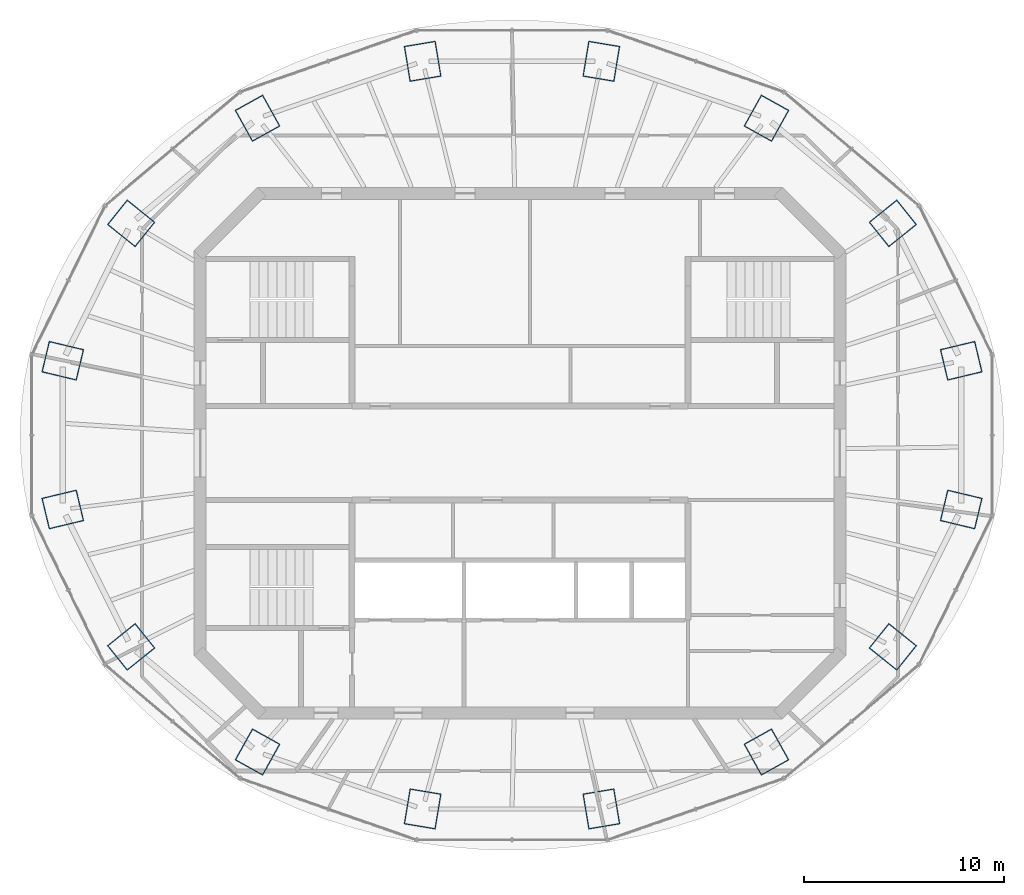
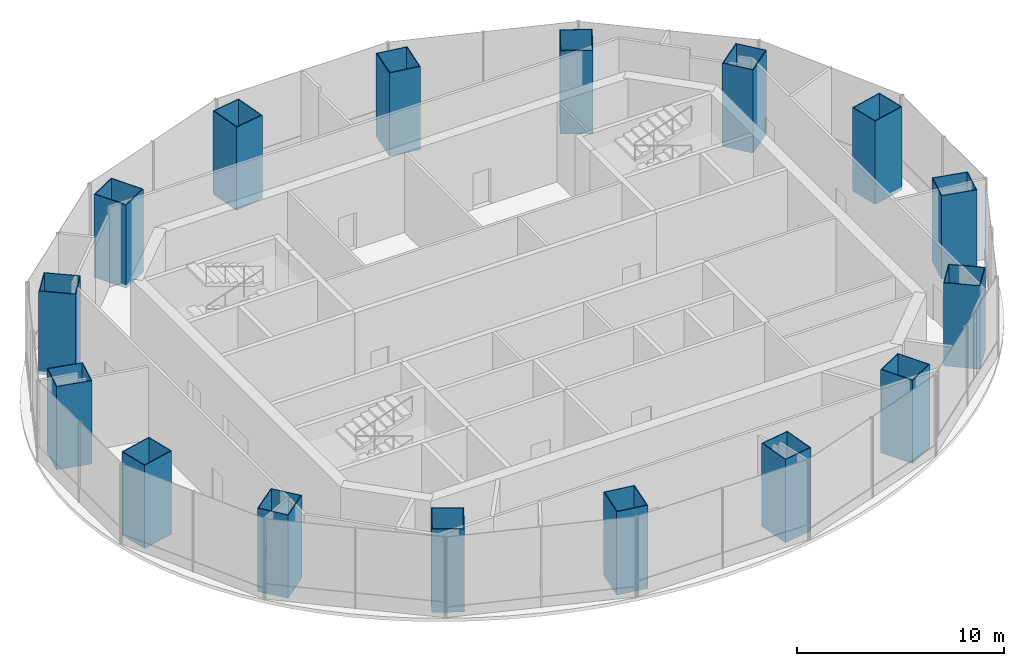
# One storey, part 1 of 11: 16 columns.
"""IFC4 building model written with IfcOpenShell, lengths in metres."""

from ifc_helpers import new_model, si_unit, direction, frame, origin, origin_2d, place, context, subcontext, project, spatial, rectangle, hollow_rectangle, extrude, material, material_profile, profile_set, type_object, element, save


model = new_model("IFC4")

# Units and contexts
model_context = context("Model", 3, precision=1e-05, world=origin(), true_north=direction((0.0, 1.0)))
body_context = subcontext(model_context, "Body", "Model", "MODEL_VIEW")
ifc_project = project(units=[si_unit("LENGTHUNIT", "METRE"), si_unit("AREAUNIT", "SQUARE_METRE"), si_unit("VOLUMEUNIT", "CUBIC_METRE"), si_unit("PLANEANGLEUNIT", "RADIAN"), si_unit("MASSUNIT", "GRAM", prefix="KILO")], contexts=[model_context])

# Site, building, storey
site_placement = place(None, origin())
site = spatial("IfcSite", under=ifc_project, at=site_placement, CompositionType="ELEMENT")
building_placement = place(site_placement, origin())
building = spatial("IfcBuilding", under=site, at=building_placement, Name="Marenthal Gate Tower", CompositionType="ELEMENT")
storey_placement = place(building_placement, frame((0.0, 0.0, 418.550048828125)))
storey = spatial("IfcBuildingStorey", under=building, at=storey_placement, Name="L94", CompositionType="ELEMENT", Elevation=418.550048828125)

# Columns
ifc_material_1 = material(Name="Steel S460", Category="steel")
ifc_material_profile_1 = material_profile(ifc_material_1, hollow_rectangle(XDim=1.60009765625, YDim=1.800048828125, WallThickness=0.044921875, at=origin_2d()), Name="CFT BOX 1800X1600X45")
ifc_material_2 = material(Name="Concrete 70 MPa", Category="concrete")
ifc_material_profile_2 = material_profile(ifc_material_2, rectangle(XDim=1.510009765625, YDim=1.7099609375, at=origin_2d()), Name="CFT BOX 1800X1600X45 INFILL")
ifc_profile_set = profile_set([ifc_material_profile_1, ifc_material_profile_2], Name="Steel S460 shell, Concrete 70 MPa infill")
column_type = type_object("IfcColumnType", Name="CFT BOX 1800X1600X45", PredefinedType="COLUMN", material=ifc_profile_set)
for number, where, z_axis, x_axis, name in (
    (1, (22.07470703125, 4.6201171875, -0.199951171875), (0.0, 0.0, 1.0), (0.232481293284, -0.972600867917, 0.0), "COL-L94-01"),
    (2, (18.653076171875, 11.494140625, -0.199951171875), (0.0, 0.0, 1.0), (0.626093601687, -0.779747909216, 0.0), "COL-L94-02"),
    (3, (12.330810546875, 16.75537109375, -0.199951171875), (0.0, 0.0, 1.0), (0.873980102911, -0.485961706018, 0.0), "COL-L94-03"),
    (4, (4.070556640625, 19.6025390625, -0.199951171875), (0.0, 0.0, 1.0), (0.986575582082, -0.163305299487, 0.0), "COL-L94-04"),
    (5, (-4.87060546875, 19.6025390625, -0.199951171875), (0.0, 0.0, 1.0), (0.986575582082, 0.163305299487, 0.0), "COL-L94-05"),
    (6, (-13.130859375, 16.75537109375, -0.199951171875), (0.0, 0.0, 1.0), (0.873980102911, 0.485961706018, 0.0), "COL-L94-06"),
    (7, (-19.453125, 11.494140625, -0.199951171875), (0.0, 0.0, 1.0), (0.626093601687, 0.779747909216, 0.0), "COL-L94-07"),
    (8, (-22.874755859375, 4.6201171875, -0.199951171875), (0.0, 0.0, 1.0), (0.232481293284, 0.972600867917, 0.0), "COL-L94-08"),
    (9, (-22.874755859375, -2.8203125, -0.199951171875), (0.0, 0.0, 1.0), (-0.232481293284, 0.972600867917, 0.0), "COL-L94-09"),
    (10, (-19.453125, -9.694091796875, -0.199951171875), (0.0, 0.0, 1.0), (-0.626093601687, 0.779747909216, 0.0), "COL-L94-10"),
    (11, (-13.130859375, -14.955322265625, -0.199951171875), (0.0, 0.0, 1.0), (-0.873980102911, 0.485961706018, 0.0), "COL-L94-11"),
    (12, (-4.87060546875, -17.802490234375, -0.199951171875), (0.0, 0.0, 1.0), (-0.986575582082, 0.163305299487, 0.0), "COL-L94-12"),
    (13, (4.070556640625, -17.802490234375, -0.199951171875), (0.0, 0.0, 1.0), (-0.986575582082, -0.163305299487, 0.0), "COL-L94-13"),
    (14, (12.330810546875, -14.955322265625, -0.199951171875), (0.0, 0.0, 1.0), (-0.873980102911, -0.485961706018, 0.0), "COL-L94-14"),
    (15, (18.653076171875, -9.694091796875, -0.199951171875), (0.0, 0.0, 1.0), (-0.626093601687, -0.779747909216, 0.0), "COL-L94-15"),
    (16, (22.07470703125, -2.8203125, -0.199951171875), (0.0, 0.0, 1.0), (-0.232481293284, -0.972600867917, 0.0), "COL-L94-16"),
):
    element("IfcColumn", number, at=place(storey_placement, frame(where, z_axis=z_axis, x_axis=x_axis)), inside=storey, type_object=column_type, Name=name, PredefinedType="COLUMN", context=body_context, shape_type="SweptSolid", body=[
        extrude(hollow_rectangle(XDim=1.60009765625, YDim=1.800048828125, WallThickness=0.044921875, at=origin_2d()), origin(), (0.0, 0.0, 1.0), 4.89990234375),
    ])

save(model, "model.ifc")
